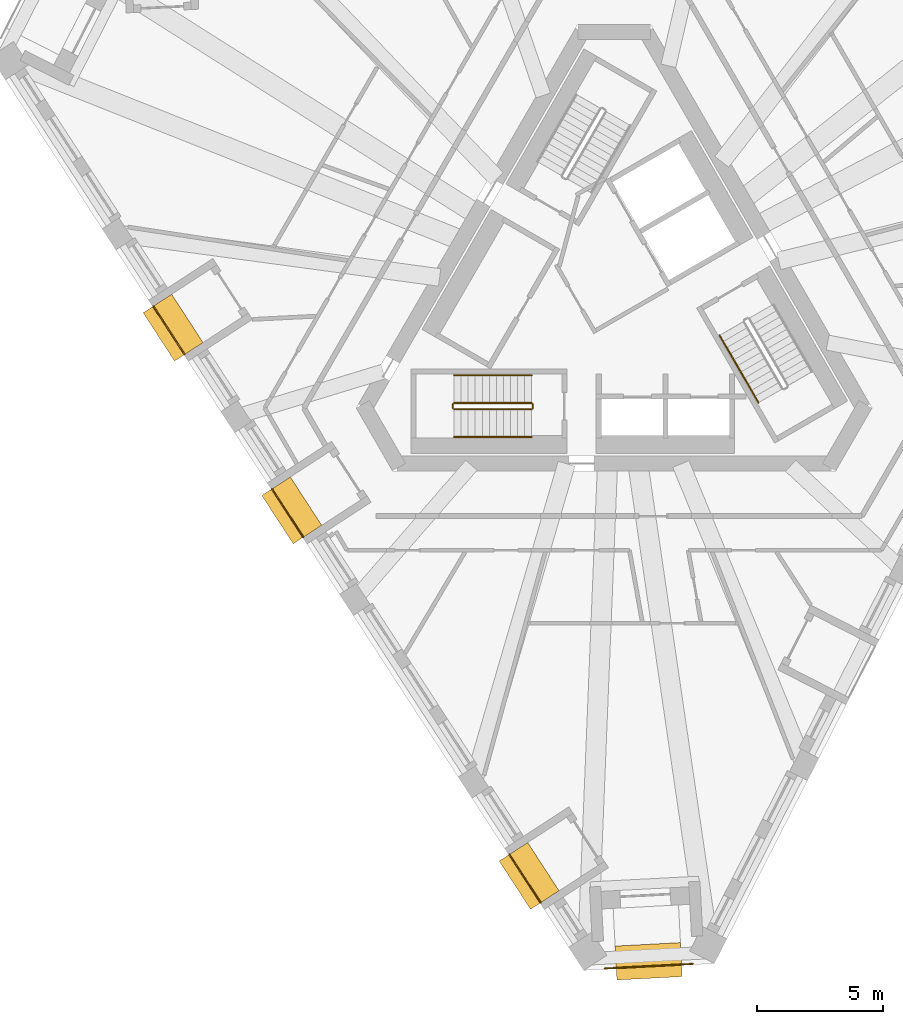
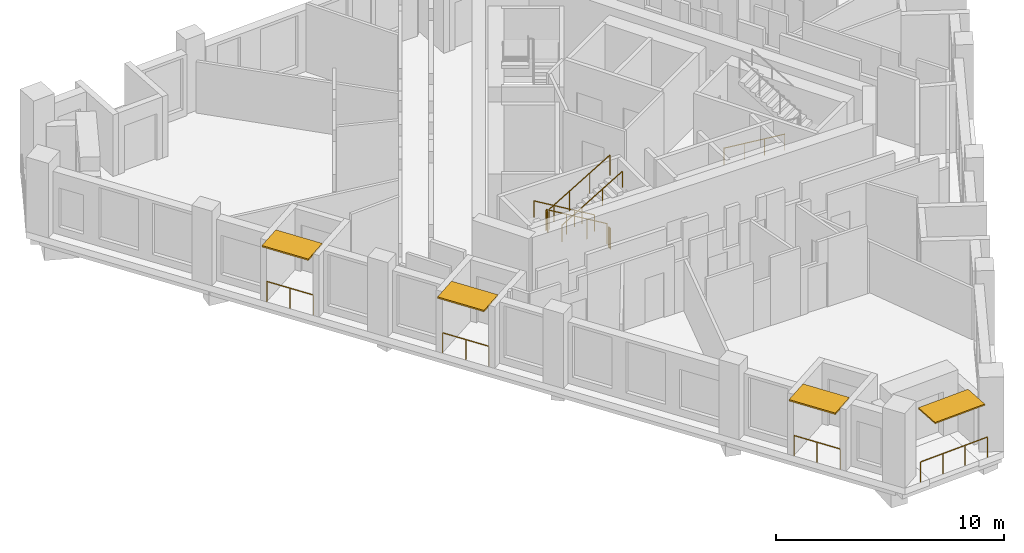
# One storey, part 9 of 12: 11 railings, 4 shading devices.
"""IFC4 building model written with IfcOpenShell, lengths in metres."""

from ifc_helpers import new_model, si_unit, direction, frame, origin, origin_2d, place, context, subcontext, project, spatial, rectangle, circle, extrude, material, layer, layer_set, type_object, element, save


model = new_model("IFC4")

# Units and contexts
model_context = context("Model", 3, precision=1e-05, world=origin(), true_north=direction((0.0, 1.0)))
body_context = subcontext(model_context, "Body", "Model", "MODEL_VIEW")
ifc_project = project(units=[si_unit("LENGTHUNIT", "METRE"), si_unit("AREAUNIT", "SQUARE_METRE"), si_unit("VOLUMEUNIT", "CUBIC_METRE"), si_unit("PLANEANGLEUNIT", "RADIAN"), si_unit("MASSUNIT", "GRAM", prefix="KILO")], contexts=[model_context])

# Site, building, storey
site_placement = place(None, origin())
site = spatial("IfcSite", under=ifc_project, at=site_placement, CompositionType="ELEMENT")
building_placement = place(site_placement, origin())
building = spatial("IfcBuilding", under=site, at=building_placement, Name="Tramontana Tower", CompositionType="ELEMENT")
storey_placement = place(building_placement, frame((0.0, 0.0, 278.39990234375)))
storey = spatial("IfcBuildingStorey", under=building, at=storey_placement, Name="L65", CompositionType="ELEMENT", Elevation=278.39990234375)

# Railings
ifc_material_1 = material(Name="Laminated glass balustrade", Category="glass")
railing_type_1 = type_object("IfcRailingType", Name="GD1 Loggia glass balustrade 1100", PredefinedType="BALUSTRADE", material=ifc_material_1)
railing_1_placement = place(storey_placement, frame((-18.313720703125, -0.20361328125, 0.0)))
element("IfcRailing", 1, at=railing_1_placement, inside=storey, type_object=railing_type_1, Name="Loggia balustrade L65 G7S0.4", PredefinedType="BALUSTRADE", context=body_context, shape_type="SweptSolid", body=[
    extrude(circle(Radius=0.02392578125, at=origin_2d()), frame((0.0, 0.0, 1.076171875), z_axis=(0.544706869801, -0.83862651162, 0.0), x_axis=(0.83862651162, 0.544706869801, 0.0)), (0.0, 0.0, 1.0), 2.286865234375),
    extrude(circle(Radius=0.02099609375, at=origin_2d()), origin(), (0.0, 0.0, 1.0), 1.052001953125),
    extrude(circle(Radius=0.02099609375, at=origin_2d()), frame((0.622802734375, -0.958984375, 0.0)), (0.0, 0.0, 1.0), 1.052001953125),
    extrude(circle(Radius=0.02099609375, at=origin_2d()), frame((1.24560546875, -1.917724609375, 0.0)), (0.0, 0.0, 1.0), 1.052001953125),
])
railing_2_placement = place(storey_placement, frame((-13.596923828125, -7.466552734375, 0.0)))
element("IfcRailing", 2, at=railing_2_placement, inside=storey, type_object=railing_type_1, Name="Loggia balustrade L65 G7S0.7", PredefinedType="BALUSTRADE", context=body_context, shape_type="SweptSolid", body=[
    extrude(circle(Radius=0.02392578125, at=origin_2d()), frame((0.0, 0.0, 1.076171875), z_axis=(0.544583011522, -0.838706947367, 0.0), x_axis=(0.838706947367, 0.544583011522, 0.0)), (0.0, 0.0, 1.0), 2.286865234375),
    extrude(circle(Radius=0.02099609375, at=origin_2d()), origin(), (0.0, 0.0, 1.0), 1.052001953125),
    extrude(circle(Radius=0.02099609375, at=origin_2d()), frame((0.62255859375, -0.958984375, 0.0)), (0.0, 0.0, 1.0), 1.052001953125),
    extrude(circle(Radius=0.02099609375, at=origin_2d()), frame((1.245361328125, -1.91796875, 0.0)), (0.0, 0.0, 1.0), 1.052001953125),
])
railing_3_placement = place(storey_placement, frame((-4.16357421875, -21.992919921875, 0.0)))
element("IfcRailing", 3, at=railing_3_placement, inside=storey, type_object=railing_type_1, Name="Loggia balustrade L65 G7S0.13", PredefinedType="BALUSTRADE", context=body_context, shape_type="SweptSolid", body=[
    extrude(circle(Radius=0.02392578125, at=origin_2d()), frame((0.0, 0.0, 1.076171875), z_axis=(0.544706869801, -0.83862651162, 0.0), x_axis=(0.83862651162, 0.544706869801, 0.0)), (0.0, 0.0, 1.0), 2.286865234375),
    extrude(circle(Radius=0.02099609375, at=origin_2d()), origin(), (0.0, 0.0, 1.0), 1.052001953125),
    extrude(circle(Radius=0.02099609375, at=origin_2d()), frame((0.622802734375, -0.958984375, 0.0)), (0.0, 0.0, 1.0), 1.052001953125),
    extrude(circle(Radius=0.02099609375, at=origin_2d()), frame((1.24560546875, -1.917724609375, 0.0)), (0.0, 0.0, 1.0), 1.052001953125),
])
railing_4_placement = place(storey_placement, frame((3.1328125, -26.342041015625, 0.0)))
element("IfcRailing", 4, at=railing_4_placement, inside=storey, type_object=railing_type_1, Name="Corner loggia balustrade L65 K71", PredefinedType="BALUSTRADE", context=body_context, shape_type="SweptSolid", body=[
    extrude(circle(Radius=0.02392578125, at=origin_2d()), frame((0.0, 0.0, 1.076171875), z_axis=(-0.998626871225, -0.0523867547, 0.0), x_axis=(0.0523867547, -0.998626871225, 0.0)), (0.0, 0.0, 1.0), 3.5),
    extrude(circle(Radius=0.02099609375, at=origin_2d()), origin(), (0.0, 0.0, 1.0), 1.052001953125),
    extrude(circle(Radius=0.02099609375, at=origin_2d()), frame((-1.1650390625, -0.06103515625, 0.0)), (0.0, 0.0, 1.0), 1.052001953125),
    extrude(circle(Radius=0.02099609375, at=origin_2d()), frame((-2.330078125, -0.122314453125, 0.0)), (0.0, 0.0, 1.0), 1.052001953125),
    extrude(circle(Radius=0.02099609375, at=origin_2d()), frame((-3.4951171875, -0.183349609375, 0.0)), (0.0, 0.0, 1.0), 1.052001953125),
])

# Shading devices
ifc_material_2 = material(Name="Precast concrete 60 MPa", Category="concrete")
ifc_layer_1 = layer(ifc_material_2, 0.070068359375)
ifc_layer_set_1 = layer_set([ifc_layer_1], Name="SS2 Stone sunshade blade 70")
shading_device_type_1 = type_object("IfcShadingDeviceType", Name="SS2 Stone sunshade blade 70", PredefinedType="USERDEFINED", material=ifc_layer_set_1)
shading_device_placement = place(storey_placement, frame((1.375244140625, -26.239013671875, 3.22998046875), z_axis=(0.0, 0.0, 1.0), x_axis=(-0.998629534755, -0.052335956243, 0.0)))
element("IfcShadingDevice", 5, at=shading_device_placement, inside=storey, type_object=shading_device_type_1, Name="Corner sunshade L65 K71", ObjectType="SUNSHADE", PredefinedType="USERDEFINED", context=body_context, shape_type="SweptSolid", body=[
    extrude(rectangle(XDim=2.60009765625, YDim=1.35009765625, at=origin_2d()), origin(), (0.0, 0.0, 1.0), 0.070068359375),
])
ifc_material_3 = material(Name="Precast concrete 60 MPa", Category="concrete")
ifc_layer_2 = layer(ifc_material_3, 0.080078125)
ifc_layer_set_2 = layer_set([ifc_layer_2], Name="SS3 Stone sunshade blade 80")
shading_device_type_2 = type_object("IfcShadingDeviceType", Name="SS3 Stone sunshade blade 80", PredefinedType="USERDEFINED", material=ifc_layer_set_2)
for number, where, z_axis, x_axis, name in (
    (6, (-17.52734375, -1.05615234375, 3.219970703125), (0.0, 0.0, 1.0), (0.544639035015, -0.838670567945, 0.0), "Sunshade L65 G7S0.4"),
    (7, (-12.810791015625, -8.3193359375, 3.219970703125), (0.0, 0.0, 1.0), (0.544639035015, -0.838670567945, 0.0), "Sunshade L65 G7S0.7"),
    (8, (-3.377197265625, -22.845458984375, 3.219970703125), (0.0, 0.0, 1.0), (0.544639035015, -0.838670567945, 0.0), "Sunshade L65 G7S0.13"),
):
    element("IfcShadingDevice", number, at=place(storey_placement, frame(where, z_axis=z_axis, x_axis=x_axis)), inside=storey, type_object=shading_device_type_2, Name=name, ObjectType="SUNSHADE", PredefinedType="USERDEFINED", context=body_context, shape_type="SweptSolid", body=[
        extrude(rectangle(XDim=2.286865234375, YDim=1.35009765625, at=origin_2d()), origin(), (0.0, 0.0, 1.0), 0.080078125),
    ])

# Railings
ifc_material_4 = material(Name="Painted steel", Category="steel")
railing_type_2 = type_object("IfcRailingType", Name="STAIR GUARD 1100", PredefinedType="GUARDRAIL", material=ifc_material_4)
railing_5_placement = place(storey_placement, frame((-3.280029296875, -4.050048828125, 0.166748046875)))
element("IfcRailing", 9, at=railing_5_placement, inside=storey, type_object=railing_type_2, Name="L65 ST2 stair guard 1", PredefinedType="GUARDRAIL", context=body_context, shape_type="SweptSolid", body=[
    extrude(circle(Radius=0.02392578125, at=origin_2d()), frame((0.0, 0.0, 1.076171875), z_axis=(-0.859308565015, 0.0, 0.511457515432), x_axis=(0.0, -1.0, 0.0)), (0.0, 0.0, 1.0), 3.58447265625),
    extrude(circle(Radius=0.02099609375, at=origin_2d()), origin(), (0.0, 0.0, 1.0), 1.052001953125),
    extrude(circle(Radius=0.02099609375, at=origin_2d()), frame((-1.026611328125, 0.0, 0.611083984375)), (0.0, 0.0, 1.0), 1.052001953125),
    extrude(circle(Radius=0.02099609375, at=origin_2d()), frame((-2.053466796875, 0.0, 1.22216796875)), (0.0, 0.0, 1.0), 1.052001953125),
    extrude(circle(Radius=0.02099609375, at=origin_2d()), frame((-3.080078125, 0.0, 1.833251953125)), (0.0, 0.0, 1.0), 1.052001953125),
])
railing_6_placement = place(storey_placement, frame((-6.360107421875, -4.300048828125, 2.166748046875)))
element("IfcRailing", 10, at=railing_6_placement, inside=storey, type_object=railing_type_2, Name="L65 ST2 stair guard 2", PredefinedType="GUARDRAIL", context=body_context, shape_type="SweptSolid", body=[
    extrude(circle(Radius=0.02392578125, at=origin_2d()), frame((0.0, 0.0, 1.076171875), z_axis=(0.859308565015, 0.0, 0.511457515432), x_axis=(0.0, 1.0, 0.0)), (0.0, 0.0, 1.0), 3.58447265625),
    extrude(circle(Radius=0.02099609375, at=origin_2d()), origin(), (0.0, 0.0, 1.0), 1.052001953125),
    extrude(circle(Radius=0.02099609375, at=origin_2d()), frame((1.026611328125, 0.0, 0.611083984375)), (0.0, 0.0, 1.0), 1.052001953125),
    extrude(circle(Radius=0.02099609375, at=origin_2d()), frame((2.053466796875, 0.0, 1.22216796875)), (0.0, 0.0, 1.0), 1.052001953125),
    extrude(circle(Radius=0.02099609375, at=origin_2d()), frame((3.080078125, 0.0, 1.833251953125)), (0.0, 0.0, 1.0), 1.052001953125),
])
for number, where, name in (
    (11, (-6.409912109375, -4.10009765625, 2.0), "L65 ST2 stair guard 3"),
    (12, (-3.22998046875, -4.10009765625, 0.0), "L65 ST2 stair guard 4"),
):
    element("IfcRailing", number, at=place(storey_placement, frame(where)), inside=storey, type_object=railing_type_2, Name=name, PredefinedType="GUARDRAIL", context=body_context, shape_type="SweptSolid", body=[
        extrude(circle(Radius=0.02392578125, at=origin_2d()), frame((0.0, 0.0, 1.076171875), z_axis=(0.0, -1.0, 0.0), x_axis=(1.0, 0.0, 0.0)), (0.0, 0.0, 1.0), 0.14990234375),
        extrude(circle(Radius=0.02099609375, at=origin_2d()), origin(), (0.0, 0.0, 1.0), 1.052001953125),
        extrude(circle(Radius=0.02099609375, at=origin_2d()), frame((0.0, -0.14990234375, 0.0)), (0.0, 0.0, 1.0), 1.052001953125),
    ])
ifc_material_5 = material(Name="Painted steel", Category="steel")
railing_type_3 = type_object("IfcRailingType", Name="STAIR HANDRAIL 900", PredefinedType="HANDRAIL", material=ifc_material_5)
railing_7_placement = place(storey_placement, frame((-3.280029296875, -2.949951171875, 0.166748046875)))
element("IfcRailing", 13, at=railing_7_placement, inside=storey, type_object=railing_type_3, Name="L65 ST2 stair handrail 1", PredefinedType="HANDRAIL", context=body_context, shape_type="SweptSolid", body=[
    extrude(circle(Radius=0.02392578125, at=origin_2d()), frame((0.0, 0.0, 0.8759765625), z_axis=(-0.859308565015, 0.0, 0.511457515432), x_axis=(0.0, -1.0, 0.0)), (0.0, 0.0, 1.0), 3.58447265625),
    extrude(circle(Radius=0.02099609375, at=origin_2d()), origin(), (0.0, 0.0, 1.0), 0.851806640625),
    extrude(circle(Radius=0.02099609375, at=origin_2d()), frame((-1.026611328125, 0.0, 0.611083984375)), (0.0, 0.0, 1.0), 0.851806640625),
    extrude(circle(Radius=0.02099609375, at=origin_2d()), frame((-2.053466796875, 0.0, 1.22216796875)), (0.0, 0.0, 1.0), 0.851806640625),
    extrude(circle(Radius=0.02099609375, at=origin_2d()), frame((-3.080078125, 0.0, 1.833251953125)), (0.0, 0.0, 1.0), 0.851806640625),
])
railing_8_placement = place(storey_placement, frame((-6.360107421875, -5.39990234375, 2.166748046875)))
element("IfcRailing", 14, at=railing_8_placement, inside=storey, type_object=railing_type_3, Name="L65 ST2 stair handrail 2", PredefinedType="HANDRAIL", context=body_context, shape_type="SweptSolid", body=[
    extrude(circle(Radius=0.02392578125, at=origin_2d()), frame((0.0, 0.0, 0.8759765625), z_axis=(0.859308565015, 0.0, 0.511457515432), x_axis=(0.0, 1.0, 0.0)), (0.0, 0.0, 1.0), 3.58447265625),
    extrude(circle(Radius=0.02099609375, at=origin_2d()), origin(), (0.0, 0.0, 1.0), 0.851806640625),
    extrude(circle(Radius=0.02099609375, at=origin_2d()), frame((1.026611328125, 0.0, 0.611083984375)), (0.0, 0.0, 1.0), 0.851806640625),
    extrude(circle(Radius=0.02099609375, at=origin_2d()), frame((2.053466796875, 0.0, 1.22216796875)), (0.0, 0.0, 1.0), 0.851806640625),
    extrude(circle(Radius=0.02099609375, at=origin_2d()), frame((3.080078125, 0.0, 1.833251953125)), (0.0, 0.0, 1.0), 0.851806640625),
])
railing_9_placement = place(storey_placement, frame((4.19482421875, -1.365478515625, 0.166748046875)))
element("IfcRailing", 15, at=railing_9_placement, inside=storey, type_object=railing_type_3, Name="L65 ST3 stair handrail 1", PredefinedType="HANDRAIL", context=body_context, shape_type="SweptSolid", body=[
    extrude(circle(Radius=0.02392578125, at=origin_2d()), frame((0.0, 0.0, 0.8759765625), z_axis=(0.429649414936, -0.744189839504, 0.511451721109), x_axis=(0.866029832698, 0.499992328818, 0.0)), (0.0, 0.0, 1.0), 3.58447265625),
    extrude(circle(Radius=0.02099609375, at=origin_2d()), origin(), (0.0, 0.0, 1.0), 0.851806640625),
    extrude(circle(Radius=0.02099609375, at=origin_2d()), frame((0.513427734375, -0.88916015625, 0.611083984375)), (0.0, 0.0, 1.0), 0.851806640625),
    extrude(circle(Radius=0.02099609375, at=origin_2d()), frame((1.026611328125, -1.7783203125, 1.22216796875)), (0.0, 0.0, 1.0), 0.851806640625),
    extrude(circle(Radius=0.02099609375, at=origin_2d()), frame((1.5400390625, -2.66748046875, 1.833251953125)), (0.0, 0.0, 1.0), 0.851806640625),
])

save(model, "model.ifc")
